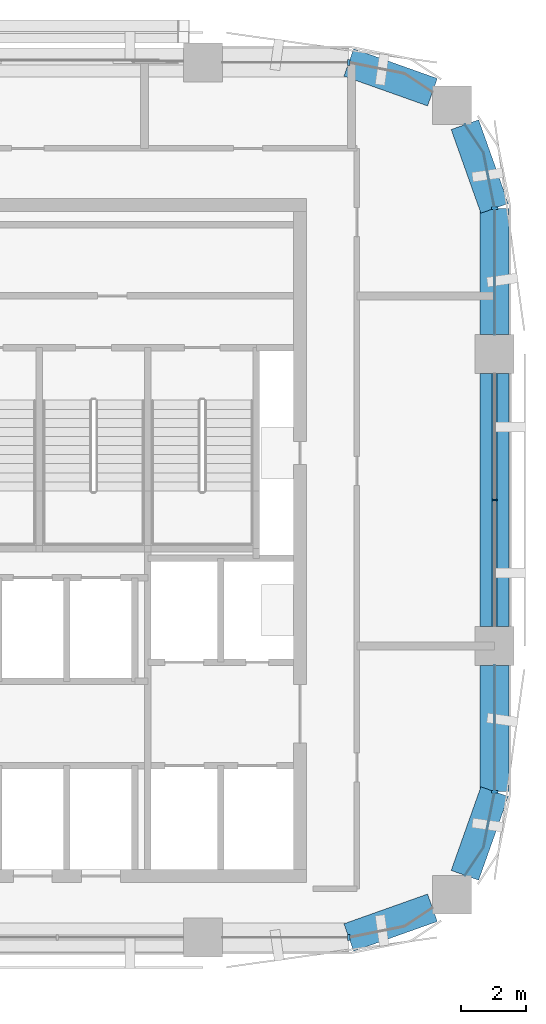
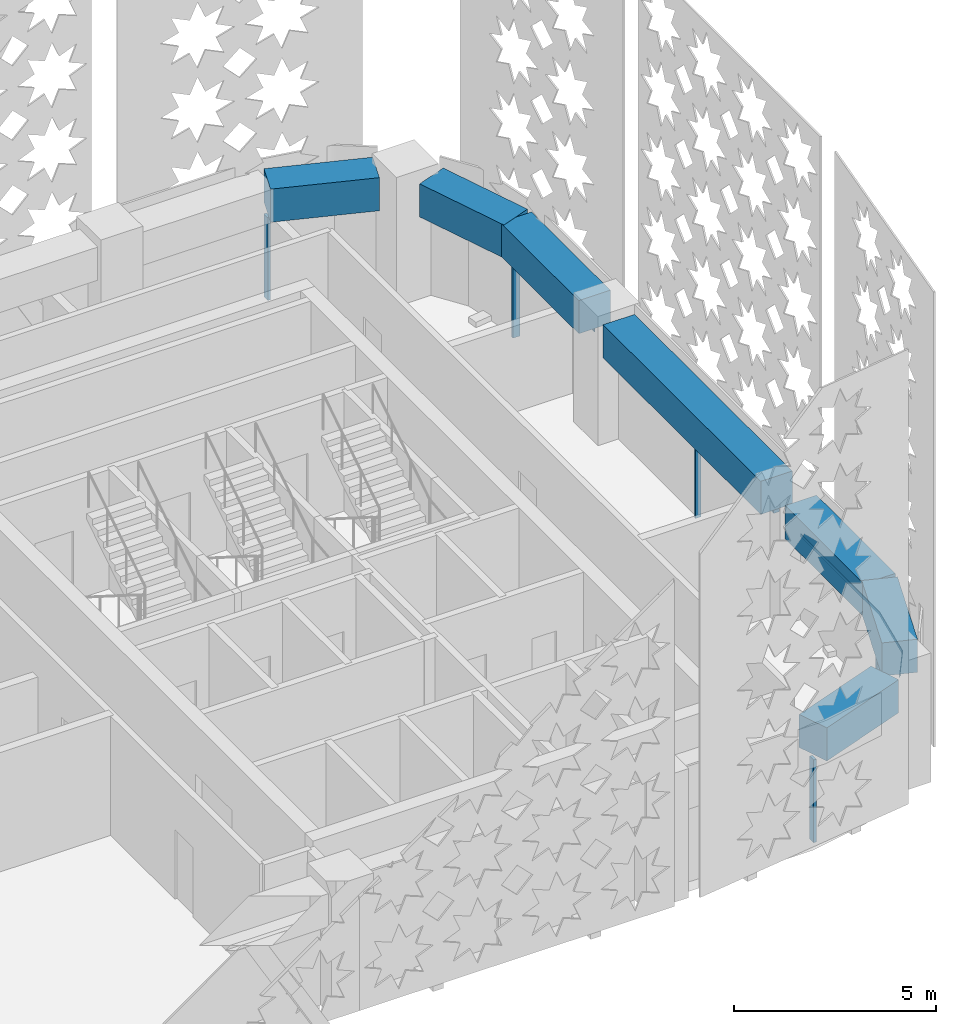
# One storey, part 5 of 17: 8 members, 7 beams, 5 elements without a shape of their own.
"""IFC4 building model written with IfcOpenShell, lengths in metres."""

from ifc_helpers import new_model, si_unit, direction, frame, origin, origin_2d, place, context, subcontext, project, spatial, polyline, rectangle, outline, extrude, material, material_profile, profile_set, type_object, element, aggregate, save


model = new_model("IFC4")

# Units and contexts
model_context = context("Model", 3, precision=1e-05, world=origin(), true_north=direction((0.0, 1.0)))
body_context = subcontext(model_context, "Body", "Model", "MODEL_VIEW")
ifc_project = project(units=[si_unit("LENGTHUNIT", "METRE"), si_unit("AREAUNIT", "SQUARE_METRE"), si_unit("VOLUMEUNIT", "CUBIC_METRE"), si_unit("PLANEANGLEUNIT", "RADIAN"), si_unit("MASSUNIT", "GRAM", prefix="KILO")], contexts=[model_context])

# Site, building, storey
site_placement = place(None, origin())
site = spatial("IfcSite", under=ifc_project, at=site_placement, CompositionType="ELEMENT")
building_placement = place(site_placement, origin())
building = spatial("IfcBuilding", under=site, at=building_placement, Name="Tessera Arch", CompositionType="ELEMENT")
storey_placement = place(building_placement, frame((0.0, 0.0, 281.300048828125)))
storey = spatial("IfcBuildingStorey", under=building, at=storey_placement, Name="L68", CompositionType="ELEMENT", Elevation=281.300048828125)

# Curtain wall, members
ifc_material_1 = material(Name="CW1 curtain wall")
curtain_wall_type_1 = type_object("IfcCurtainWallType", Name="CW1 curtain wall", PredefinedType="NOTDEFINED", material=ifc_material_1)
curtain_wall_1_placement = place(storey_placement, origin())
curtain_wall_1 = element("IfcCurtainWall", 1, at=curtain_wall_1_placement, inside=storey, type_object=curtain_wall_type_1, Name="CW1 curtain wall E54.27/0 L68", PredefinedType="NOTDEFINED")
ifc_material_2 = material(Name="Anodised aluminium pale metal", Category="aluminium")
ifc_material_profile_1 = material_profile(ifc_material_2, rectangle(XDim=0.159912109375, YDim=0.06005859375, at=origin_2d()), Name="AL 60x160")
ifc_profile_set_1 = profile_set([ifc_material_profile_1], Name="Anodised aluminium pale metal")
member_type_1 = type_object("IfcMemberType", Name="CW1 mullion", PredefinedType="MULLION", material=ifc_profile_set_1)
member_1_placement = place(storey_placement, frame((54.0, 40.5, 0.0), z_axis=(0.0, 0.0, 1.0), x_axis=(-1.0, 0.0, 0.0)))
member_1 = element("IfcMember", 2, at=member_1_placement, type_object=member_type_1, Name="CW1 mullion E54.27/0 1", PredefinedType="MULLION", context=body_context, shape_type="SweptSolid", body=[
    extrude(rectangle(XDim=0.159912109375, YDim=0.06005859375, at=origin_2d()), origin(), (0.0, 0.0, 1.0), 2.5),
])
ifc_material_3 = material(Name="Anodised aluminium pale metal", Category="aluminium")
ifc_material_profile_2 = material_profile(ifc_material_3, rectangle(XDim=0.159912109375, YDim=0.10009765625, at=origin_2d()), Name="AL 160x100")
ifc_profile_set_2 = profile_set([ifc_material_profile_2], Name="Anodised aluminium pale metal")
member_type_2 = type_object("IfcMemberType", Name="CW1 transom", PredefinedType="USERDEFINED", material=ifc_profile_set_2)
member_2_placement = place(storey_placement, frame((54.0, 36.60009765625, 2.550048828125), z_axis=(0.0, 1.0, 0.0), x_axis=(-1.0, 0.0, 0.0)))
member_2 = element("IfcMember", 3, at=member_2_placement, type_object=member_type_2, Name="CW1 transom E54.27/0 1.1", ObjectType="TRANSOM", PredefinedType="USERDEFINED", context=body_context, shape_type="SweptSolid", body=[
    extrude(rectangle(XDim=0.159912109375, YDim=0.10009765625, at=origin_2d()), origin(), (0.0, 0.0, 1.0), 7.7998046875),
])
aggregate(curtain_wall_1, [member_1, member_2])

# Curtain wall, member
ifc_material_4 = material(Name="CW2 curtain wall")
curtain_wall_type_2 = type_object("IfcCurtainWallType", Name="CW2 curtain wall", PredefinedType="NOTDEFINED", material=ifc_material_4)
curtain_wall_2_placement = place(storey_placement, origin())
curtain_wall_2 = element("IfcCurtainWall", 4, at=curtain_wall_2_placement, inside=storey, type_object=curtain_wall_type_2, Name="CW2 curtain wall E54.27/1 L68", PredefinedType="NOTDEFINED")
ifc_material_5 = material(Name="Anodised aluminium pale metal", Category="aluminium")
ifc_material_profile_3 = material_profile(ifc_material_5, rectangle(XDim=0.199951171875, YDim=0.080078125, at=origin_2d()), Name="AL 80x200")
ifc_profile_set_3 = profile_set([ifc_material_profile_3], Name="Anodised aluminium pale metal")
member_type_3 = type_object("IfcMemberType", Name="CW2 mullion", PredefinedType="MULLION", material=ifc_profile_set_3)
member_3_placement = place(storey_placement, frame((54.0, 49.5, 0.0), z_axis=(0.0, 0.0, 1.0), x_axis=(-1.0, 0.0, 0.0)))
member_3 = element("IfcMember", 5, at=member_3_placement, type_object=member_type_3, Name="CW2 mullion E54.27/1 1", PredefinedType="MULLION", context=body_context, shape_type="SweptSolid", body=[
    extrude(rectangle(XDim=0.199951171875, YDim=0.080078125, at=origin_2d()), origin(), (0.0, 0.0, 1.0), 2.5),
])

curtain_wall_3_placement = place(storey_placement, origin())
curtain_wall_3 = element("IfcCurtainWall", 6, at=curtain_wall_3_placement, inside=storey, type_object=curtain_wall_type_2, Name="CW2 curtain wall N54.18/0 L68", PredefinedType="NOTDEFINED")
member_4_placement = place(storey_placement, frame((49.5, 54.0, 0.0), z_axis=(0.0, 0.0, 1.0), x_axis=(0.0, -1.0, 0.0)))
member_4 = element("IfcMember", 7, at=member_4_placement, type_object=member_type_3, Name="CW2 mullion N54.18/0 1", PredefinedType="MULLION", context=body_context, shape_type="SweptSolid", body=[
    extrude(rectangle(XDim=0.199951171875, YDim=0.080078125, at=origin_2d()), origin(), (0.0, 0.0, 1.0), 2.5),
])
aggregate(curtain_wall_3, [member_4])

curtain_wall_4_placement = place(storey_placement, origin())
curtain_wall_4 = element("IfcCurtainWall", 8, at=curtain_wall_4_placement, inside=storey, type_object=curtain_wall_type_2, Name="CW2 curtain wall S27.18/3 L68", PredefinedType="NOTDEFINED")
member_5_placement = place(storey_placement, frame((49.5, 27.0, 0.0), z_axis=(0.0, 0.0, 1.0), x_axis=(0.0, 1.0, 0.0)))
member_5 = element("IfcMember", 9, at=member_5_placement, type_object=member_type_3, Name="CW2 mullion S27.18/3 1", PredefinedType="MULLION", context=body_context, shape_type="SweptSolid", body=[
    extrude(rectangle(XDim=0.199951171875, YDim=0.080078125, at=origin_2d()), origin(), (0.0, 0.0, 1.0), 2.5),
])
aggregate(curtain_wall_4, [member_5])

curtain_wall_5_placement = place(storey_placement, origin())
curtain_wall_5 = element("IfcCurtainWall", 10, at=curtain_wall_5_placement, inside=storey, type_object=curtain_wall_type_2, Name="CW2 curtain wall E54.27/2 L68", PredefinedType="NOTDEFINED")
member_6_placement = place(storey_placement, frame((54.0, 31.5, 0.0), z_axis=(0.0, 0.0, 1.0), x_axis=(-1.0, 0.0, 0.0)))
member_6 = element("IfcMember", 11, at=member_6_placement, type_object=member_type_3, Name="CW2 mullion E54.27/2 1", PredefinedType="MULLION", context=body_context, shape_type="SweptSolid", body=[
    extrude(rectangle(XDim=0.199951171875, YDim=0.080078125, at=origin_2d()), origin(), (0.0, 0.0, 1.0), 2.5),
])

# Member
ifc_material_6 = material(Name="Anodised aluminium pale metal", Category="aluminium")
ifc_material_profile_4 = material_profile(ifc_material_6, rectangle(XDim=0.199951171875, YDim=0.10009765625, at=origin_2d()), Name="AL 200x100")
ifc_profile_set_4 = profile_set([ifc_material_profile_4], Name="Anodised aluminium pale metal")
member_type_4 = type_object("IfcMemberType", Name="CW2 transom", PredefinedType="USERDEFINED", material=ifc_profile_set_4)
member_7_placement = place(storey_placement, frame((0.0, 0.0, 2.5)))
member_7 = element("IfcMember", 12, at=member_7_placement, type_object=member_type_4, Name="CW2 transom E54.27/1 1", ObjectType="TRANSOM", PredefinedType="USERDEFINED", context=body_context, shape_type="SweptSolid", body=[
    extrude(outline(polyline([(53.989990234375, 49.4990234375), (53.989990234375, 45.60009765625), (54.010009765625, 45.60009765625), (54.010009765625, 49.5009765625), (53.6669921875, 51.22607421875), (53.09130859375, 52.087646484375), (53.07470703125, 52.076416015625), (53.648193359375, 51.21826171875), (53.989990234375, 49.4990234375)])), origin(), (0.0, 0.0, 1.0), 0.099853515625),
])

aggregate(curtain_wall_2, [member_3, member_7])

member_8_placement = place(storey_placement, frame((0.0, 0.0, 2.5)))
member_8 = element("IfcMember", 13, at=member_8_placement, type_object=member_type_4, Name="CW2 transom E54.27/2 1", ObjectType="TRANSOM", PredefinedType="USERDEFINED", context=body_context, shape_type="SweptSolid", body=[
    extrude(outline(polyline([(53.648193359375, 29.78173828125), (53.07470703125, 28.923583984375), (53.09130859375, 28.912353515625), (53.6669921875, 29.77392578125), (54.010009765625, 31.4990234375), (54.010009765625, 35.39990234375), (53.989990234375, 35.39990234375), (53.989990234375, 31.5009765625), (53.648193359375, 29.78173828125)])), origin(), (0.0, 0.0, 1.0), 0.099853515625),
])

aggregate(curtain_wall_5, [member_6, member_8])

# Beams
ifc_material_7 = material(Name="Concrete C60/75", Category="concrete")
ifc_material_profile_5 = material_profile(ifc_material_7, rectangle(XDim=0.89990234375, YDim=1.0, at=origin_2d()), Name="RC spandrel beam 900 x 1000 Concrete C60/75")
ifc_profile_set_5 = profile_set([ifc_material_profile_5], Name="Concrete C60/75")
beam_type = type_object("IfcBeamType", Name="RC spandrel beam 900 x 1000 Concrete C60/75", PredefinedType="BEAM", material=ifc_profile_set_5)
beam_1_placement = place(storey_placement, frame((54.0, 36.60009765625, 3.099853515625), z_axis=(0.0, 1.0, 0.0), x_axis=(-1.0, 0.0, 0.0)))
element("IfcBeam", 14, at=beam_1_placement, inside=storey, type_object=beam_type, Name="Spandrel beam L68 E54.27/0", PredefinedType="BEAM", context=body_context, shape_type="SweptSolid", body=[
    extrude(rectangle(XDim=0.89990234375, YDim=1.0, at=origin_2d()), origin(), (0.0, 0.0, 1.0), 7.7998046875),
])
beam_2_placement = place(storey_placement, frame((54.0, 45.60009765625, 3.099853515625), z_axis=(0.0, 1.0, 0.0), x_axis=(-1.0, 0.0, 0.0)))
element("IfcBeam", 15, at=beam_2_placement, inside=storey, type_object=beam_type, Name="Spandrel beam L68 E54.27/1.1", PredefinedType="BEAM", context=body_context, shape_type="SweptSolid", body=[
    extrude(rectangle(XDim=0.89990234375, YDim=1.0, at=origin_2d()), origin(), (0.0, 0.0, 1.0), 3.89990234375),
])
for number, where, z_axis, x_axis, name in (
    (16, (54.0, 49.5, 3.099853515625), (-0.334665114373, 0.942337127159, 0.0), (-0.942337127159, -0.334665114373, 0.0), "Spandrel beam L68 E54.27/1.2"),
    (17, (52.08203125, 53.0830078125, 3.099853515625), (-0.942337127159, 0.334665114373, 0.0), (-0.334665114373, -0.942337127159, 0.0), "Spandrel beam L68 N54.18/0.1"),
    (18, (49.5, 27.0, 3.099853515625), (0.942337127159, 0.334665114373, 0.0), (-0.334665114373, 0.942337127159, 0.0), "Spandrel beam L68 S27.18/3.2"),
    (19, (53.0830078125, 28.91796875, 3.099853515625), (0.334665114373, 0.942337127159, 0.0), (-0.942337127159, 0.334665114373, 0.0), "Spandrel beam L68 E54.27/2.1"),
):
    element("IfcBeam", number, at=place(storey_placement, frame(where, z_axis=z_axis, x_axis=x_axis)), inside=storey, type_object=beam_type, Name=name, PredefinedType="BEAM", context=body_context, shape_type="SweptSolid", body=[
        extrude(rectangle(XDim=0.89990234375, YDim=1.0, at=origin_2d()), origin(), (0.0, 0.0, 1.0), 2.739990234375),
    ])
beam_3_placement = place(storey_placement, frame((54.0, 31.5, 3.099853515625), z_axis=(0.0, 1.0, 0.0), x_axis=(-1.0, 0.0, 0.0)))
element("IfcBeam", 20, at=beam_3_placement, inside=storey, type_object=beam_type, Name="Spandrel beam L68 E54.27/2.2", PredefinedType="BEAM", context=body_context, shape_type="SweptSolid", body=[
    extrude(rectangle(XDim=0.89990234375, YDim=1.0, at=origin_2d()), origin(), (0.0, 0.0, 1.0), 3.89990234375),
])

save(model, "model.ifc")
